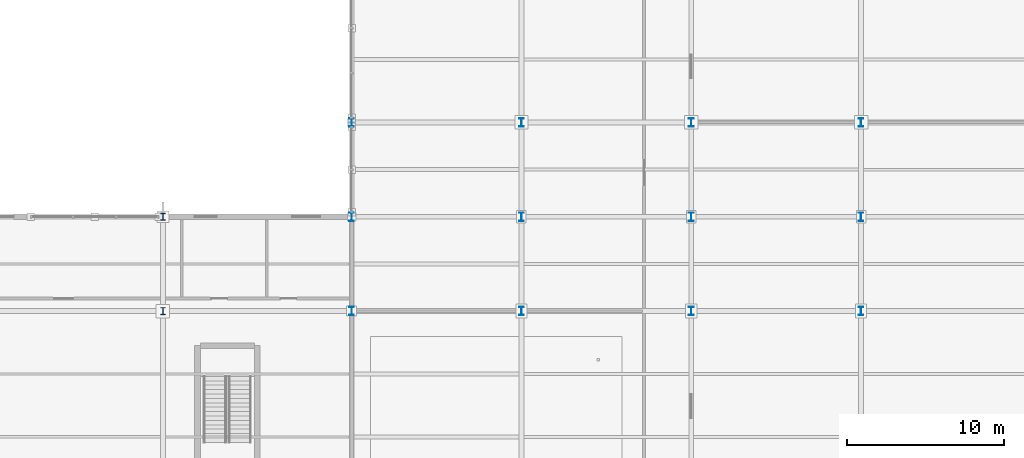
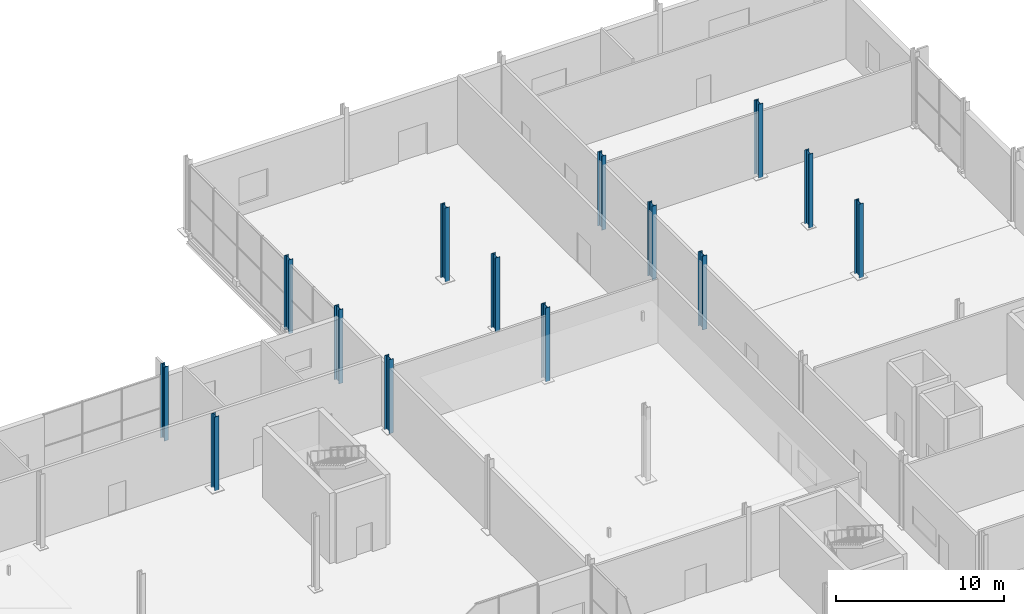
# One storey, part 19 of 196: 14 columns.
"""IFC4 building model written with IfcOpenShell, lengths in metres."""

from ifc_helpers import new_model, si_unit, direction, frame, origin, origin_2d, place, context, subcontext, project, spatial, i_section, extrude, material, material_profile, profile_set, type_object, element, save


model = new_model("IFC4")

# Units and contexts
model_context = context("Model", 3, precision=1e-05, world=origin(), true_north=direction((0.0, 1.0)))
body_context = subcontext(model_context, "Body", "Model", "MODEL_VIEW")
ifc_project = project(units=[si_unit("LENGTHUNIT", "METRE"), si_unit("AREAUNIT", "SQUARE_METRE"), si_unit("VOLUMEUNIT", "CUBIC_METRE"), si_unit("PLANEANGLEUNIT", "RADIAN"), si_unit("MASSUNIT", "GRAM", prefix="KILO")], contexts=[model_context])

# Site, building, storey
site_placement = place(None, origin())
site = spatial("IfcSite", under=ifc_project, at=site_placement, CompositionType="ELEMENT")
building_placement = place(site_placement, origin())
building = spatial("IfcBuilding", under=site, at=building_placement, Name="Merenkruunu Market Hall", CompositionType="ELEMENT")
storey_placement = place(building_placement, origin())
storey = spatial("IfcBuildingStorey", under=building, at=storey_placement, Name="L00", CompositionType="ELEMENT", Elevation=0.0)

# Columns
ifc_material_1 = material(Name="Steel S355ML", Category="steel")
ifc_material_profile_1 = material_profile(ifc_material_1, i_section(OverallWidth=0.300048828125, OverallDepth=0.550048828125, WebThickness=0.014892578125, FlangeThickness=0.029052734375, FilletRadius=0.027099609375, at=origin_2d()), Name="HEB 550")
ifc_profile_set_1 = profile_set([ifc_material_profile_1], Name="Steel S355ML")
column_type_1 = type_object("IfcColumnType", Name="Structural Column C02", PredefinedType="COLUMN", material=ifc_profile_set_1)
for number, where, z_axis, x_axis, name in (
    (1, (159.60009765625, 39.60009765625, 0.0), (0.0, 0.0, 1.0), (1.0, 0.0, 0.0), "COL-L00-R-05"),
    (2, (170.39990234375, 39.60009765625, 0.0), (0.0, 0.0, 1.0), (1.0, 0.0, 0.0), "COL-L00-S-05"),
    (3, (181.199951171875, 39.60009765625, 0.0), (0.0, 0.0, 1.0), (1.0, 0.0, 0.0), "COL-L00-T-05"),
):
    element("IfcColumn", number, at=place(storey_placement, frame(where, z_axis=z_axis, x_axis=x_axis)), inside=storey, type_object=column_type_1, Name=name, PredefinedType="COLUMN", context=body_context, shape_type="SweptSolid", body=[
        extrude(i_section(OverallWidth=0.300048828125, OverallDepth=0.550048828125, WebThickness=0.014892578125, FlangeThickness=0.029052734375, FilletRadius=0.027099609375, at=origin_2d()), origin(), (0.0, 0.0, 1.0), 5.39990234375),
    ])
ifc_material_2 = material(Name="Steel S355J2", Category="steel")
ifc_material_profile_2 = material_profile(ifc_material_2, i_section(OverallWidth=0.300048828125, OverallDepth=0.5400390625, WebThickness=0.012451171875, FlangeThickness=0.02392578125, FilletRadius=0.027099609375, at=origin_2d()), Name="HEA 550")
ifc_profile_set_2 = profile_set([ifc_material_profile_2], Name="Steel S355J2")
column_type_2 = type_object("IfcColumnType", Name="Structural Column C06", PredefinedType="COLUMN", material=ifc_profile_set_2)
for number, where, z_axis, x_axis, name in (
    (4, (148.800048828125, 39.60009765625, 0.0), (0.0, 0.0, 1.0), (1.0, 0.0, 0.0), "COL-L00-Q-05"),
    (5, (148.800048828125, 45.60009765625, 0.0), (0.0, 0.0, 1.0), (1.0, 0.0, 0.0), "COL-L00-Q-06"),
    (6, (148.800048828125, 51.60009765625, 0.0), (0.0, 0.0, 1.0), (1.0, 0.0, 0.0), "COL-L00-Q-07"),
    (7, (159.60009765625, 45.60009765625, 0.0), (0.0, 0.0, 1.0), (1.0, 0.0, 0.0), "COL-L00-R-06"),
    (8, (159.60009765625, 51.60009765625, 0.0), (0.0, 0.0, 1.0), (1.0, 0.0, 0.0), "COL-L00-R-07"),
    (9, (170.39990234375, 45.60009765625, 0.0), (0.0, 0.0, 1.0), (1.0, 0.0, 0.0), "COL-L00-S-06"),
    (10, (170.39990234375, 51.60009765625, 0.0), (0.0, 0.0, 1.0), (1.0, 0.0, 0.0), "COL-L00-S-07"),
    (11, (181.199951171875, 45.60009765625, 0.0), (0.0, 0.0, 1.0), (1.0, 0.0, 0.0), "COL-L00-T-06"),
    (12, (181.199951171875, 51.60009765625, 0.0), (0.0, 0.0, 1.0), (1.0, 0.0, 0.0), "COL-L00-T-07"),
):
    element("IfcColumn", number, at=place(storey_placement, frame(where, z_axis=z_axis, x_axis=x_axis)), inside=storey, type_object=column_type_2, Name=name, PredefinedType="COLUMN", context=body_context, shape_type="SweptSolid", body=[
        extrude(i_section(OverallWidth=0.300048828125, OverallDepth=0.5400390625, WebThickness=0.012451171875, FlangeThickness=0.02392578125, FilletRadius=0.027099609375, at=origin_2d()), origin(), (0.0, 0.0, 1.0), 5.39990234375),
    ])
ifc_material_profile_3 = material_profile(ifc_material_2, i_section(OverallWidth=0.300048828125, OverallDepth=0.43994140625, WebThickness=0.011474609375, FlangeThickness=0.02099609375, FilletRadius=0.027099609375, at=origin_2d()), Name="HEA 450")
ifc_profile_set_3 = profile_set([ifc_material_profile_3], Name="Steel S355J2")
column_type_3 = type_object("IfcColumnType", Name="Structural Column C07", PredefinedType="COLUMN", material=ifc_profile_set_3)
for number, where, z_axis, x_axis, name in (
    (13, (136.800048828125, 39.60009765625, 0.0), (0.0, 0.0, 1.0), (1.0, 0.0, 0.0), "COL-L00-P-05"),
    (14, (136.800048828125, 45.60009765625, 0.0), (0.0, 0.0, 1.0), (1.0, 0.0, 0.0), "COL-L00-P-06"),
):
    element("IfcColumn", number, at=place(storey_placement, frame(where, z_axis=z_axis, x_axis=x_axis)), inside=storey, type_object=column_type_3, Name=name, PredefinedType="COLUMN", context=body_context, shape_type="SweptSolid", body=[
        extrude(i_section(OverallWidth=0.300048828125, OverallDepth=0.43994140625, WebThickness=0.011474609375, FlangeThickness=0.02099609375, FilletRadius=0.027099609375, at=origin_2d()), origin(), (0.0, 0.0, 1.0), 5.39990234375),
    ])

save(model, "model.ifc")
